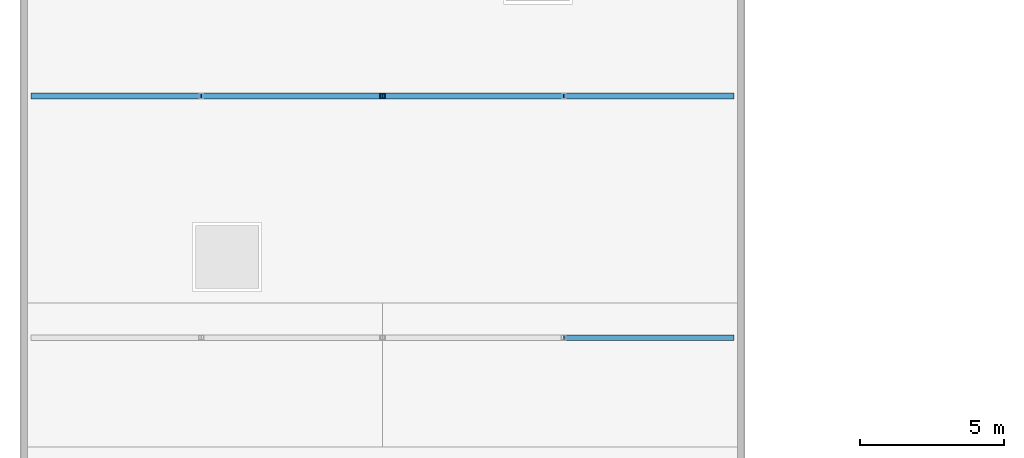
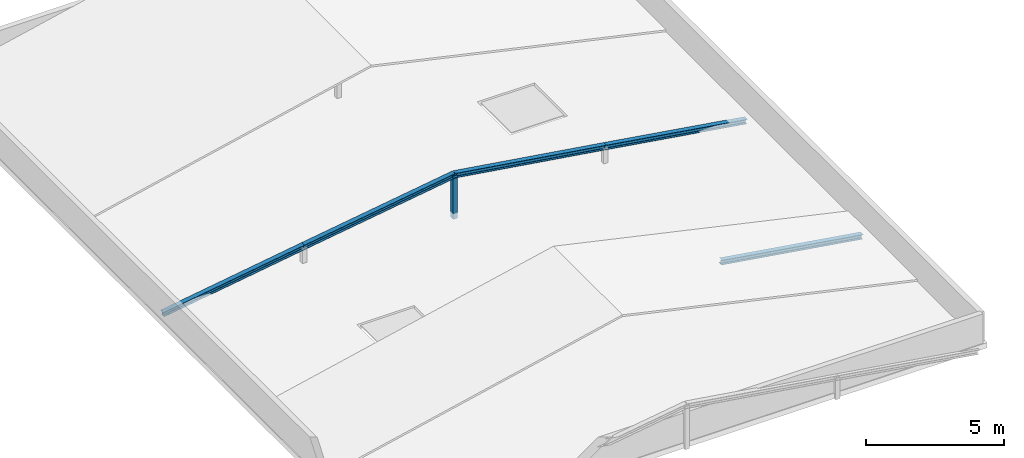
# One storey, part 4 of 21: 6 members.
"""IFC4 building model written with IfcOpenShell, lengths in metres."""

from ifc_helpers import new_model, si_unit, direction, frame, origin, origin_2d, place, context, subcontext, project, spatial, hollow_rectangle, i_section, extrude, material, material_profile, profile_set, type_object, element, save


model = new_model("IFC4")

# Units and contexts
model_context = context("Model", 3, precision=1e-05, world=origin(), true_north=direction((0.0, 1.0)))
body_context = subcontext(model_context, "Body", "Model", "MODEL_VIEW")
ifc_project = project(units=[si_unit("LENGTHUNIT", "METRE"), si_unit("AREAUNIT", "SQUARE_METRE"), si_unit("VOLUMEUNIT", "CUBIC_METRE"), si_unit("PLANEANGLEUNIT", "RADIAN"), si_unit("MASSUNIT", "GRAM", prefix="KILO")], contexts=[model_context])

# Site, building, storey
site_placement = place(None, origin())
site = spatial("IfcSite", under=ifc_project, at=site_placement, CompositionType="ELEMENT")
building_placement = place(site_placement, origin())
building = spatial("IfcBuilding", under=site, at=building_placement, Name="Xuanlan Plaza Opera House", CompositionType="ELEMENT")
storey_placement = place(building_placement, frame((0.0, 0.0, 44.699951171875)))
storey = spatial("IfcBuildingStorey", under=building, at=storey_placement, Name="L10", CompositionType="ELEMENT", Elevation=44.699951171875)

# Members
ifc_material = material(Name="Steel Q355B", Category="steel")
ifc_material_profile_1 = material_profile(ifc_material, hollow_rectangle(XDim=0.179931640625, YDim=0.179931640625, WallThickness=0.010009765625, at=origin_2d()), Name="SHS 180x180x10")
ifc_profile_set_1 = profile_set([ifc_material_profile_1], Name="Steel Q355B")
member_type_1 = type_object("IfcMemberType", Name="STR-MEM-ST-M2", PredefinedType="STRUT", material=ifc_profile_set_1)
member_1_placement = place(storey_placement, frame((54.60009765625, 58.800048828125, -0.25), z_axis=(0.0, 0.0, 1.0), x_axis=(1.0, 0.0, 0.0)))
element("IfcMember", 1, at=member_1_placement, inside=storey, type_object=member_type_1, Name="Fly Tower Crown Support Post 03-MID", PredefinedType="STRUT", context=body_context, shape_type="SweptSolid", body=[
    extrude(hollow_rectangle(XDim=0.179931640625, YDim=0.179931640625, WallThickness=0.010009765625, at=origin_2d()), origin(), (0.0, 0.0, 1.0), 1.91015625),
])
ifc_material_profile_2 = material_profile(ifc_material, i_section(OverallWidth=0.199951171875, OverallDepth=0.199951171875, WebThickness=0.008056640625, FlangeThickness=0.011962890625, FilletRadius=0.012939453125, at=origin_2d()), Name="HW 200x200x8x12")
ifc_profile_set_2 = profile_set([ifc_material_profile_2], Name="Steel Q355B")
member_type_2 = type_object("IfcMemberType", Name="STR-MEM-TC-02", PredefinedType="CHORD", material=ifc_profile_set_2)
for number, where, z_axis, x_axis, name in (
    (2, (60.89990234375, 50.39990234375, 0.699951171875), (0.988062453575, 0.0, -0.154053847191), (0.0, 1.0, 0.0), "Fly Tower Crown Rafter 02-E1"),
    (3, (42.39990234375, 58.800048828125, -0.219970703125), (0.988062453575, 0.0, 0.154053847191), (0.0, 1.0, 0.0), "Fly Tower Crown Rafter 03-W1"),
):
    element("IfcMember", number, at=place(storey_placement, frame(where, z_axis=z_axis, x_axis=x_axis)), inside=storey, type_object=member_type_2, Name=name, PredefinedType="CHORD", context=body_context, shape_type="SweptSolid", body=[
        extrude(i_section(OverallWidth=0.199951171875, OverallDepth=0.199951171875, WebThickness=0.008056640625, FlangeThickness=0.011962890625, FilletRadius=0.012939453125, at=origin_2d()), origin(), (0.0, 0.0, 1.0), 5.971435546875),
    ])
member_2_placement = place(storey_placement, frame((48.300048828125, 58.800048828125, 0.699951171875), z_axis=(0.988583756616, 0.0, 0.150672347017), x_axis=(0.0, 1.0, 0.0)))
element("IfcMember", 4, at=member_2_placement, inside=storey, type_object=member_type_2, Name="Fly Tower Crown Rafter 03-W2", PredefinedType="CHORD", context=body_context, shape_type="SweptSolid", body=[
    extrude(i_section(OverallWidth=0.199951171875, OverallDepth=0.199951171875, WebThickness=0.008056640625, FlangeThickness=0.011962890625, FilletRadius=0.012939453125, at=origin_2d()), origin(), (0.0, 0.0, 1.0), 6.372802734375),
])
member_3_placement = place(storey_placement, frame((54.60009765625, 58.800048828125, 1.66015625), z_axis=(0.988582886852, 0.0, -0.150678053557), x_axis=(0.0, 1.0, 0.0)))
element("IfcMember", 5, at=member_3_placement, inside=storey, type_object=member_type_2, Name="Fly Tower Crown Rafter 03-E2", PredefinedType="CHORD", context=body_context, shape_type="SweptSolid", body=[
    extrude(i_section(OverallWidth=0.199951171875, OverallDepth=0.199951171875, WebThickness=0.008056640625, FlangeThickness=0.011962890625, FilletRadius=0.012939453125, at=origin_2d()), origin(), (0.0, 0.0, 1.0), 6.37255859375),
])
member_4_placement = place(storey_placement, frame((60.89990234375, 58.800048828125, 0.699951171875), z_axis=(0.988062453575, 0.0, -0.154053847191), x_axis=(0.0, 1.0, 0.0)))
element("IfcMember", 6, at=member_4_placement, inside=storey, type_object=member_type_2, Name="Fly Tower Crown Rafter 03-E1", PredefinedType="CHORD", context=body_context, shape_type="SweptSolid", body=[
    extrude(i_section(OverallWidth=0.199951171875, OverallDepth=0.199951171875, WebThickness=0.008056640625, FlangeThickness=0.011962890625, FilletRadius=0.012939453125, at=origin_2d()), origin(), (0.0, 0.0, 1.0), 5.971435546875),
])

save(model, "model.ifc")
